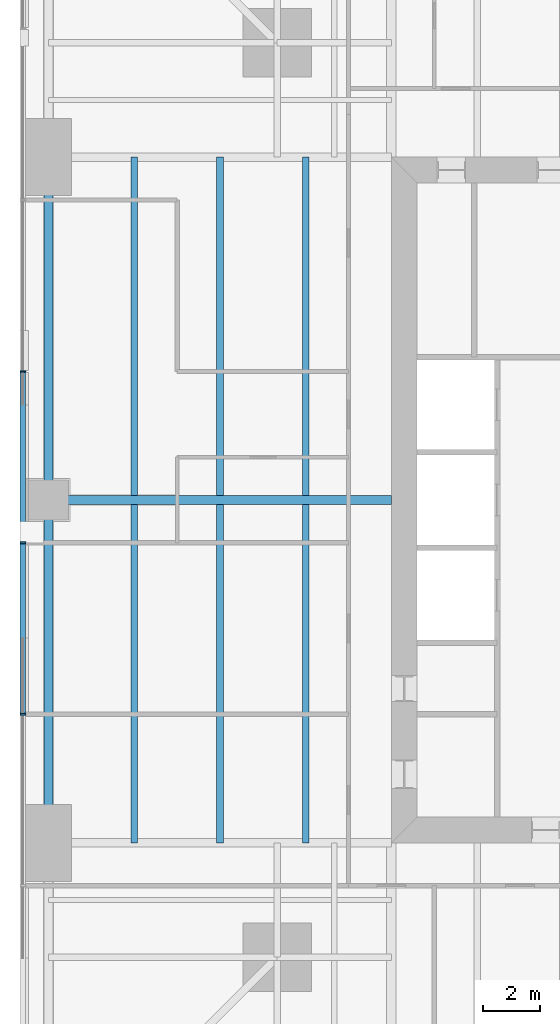
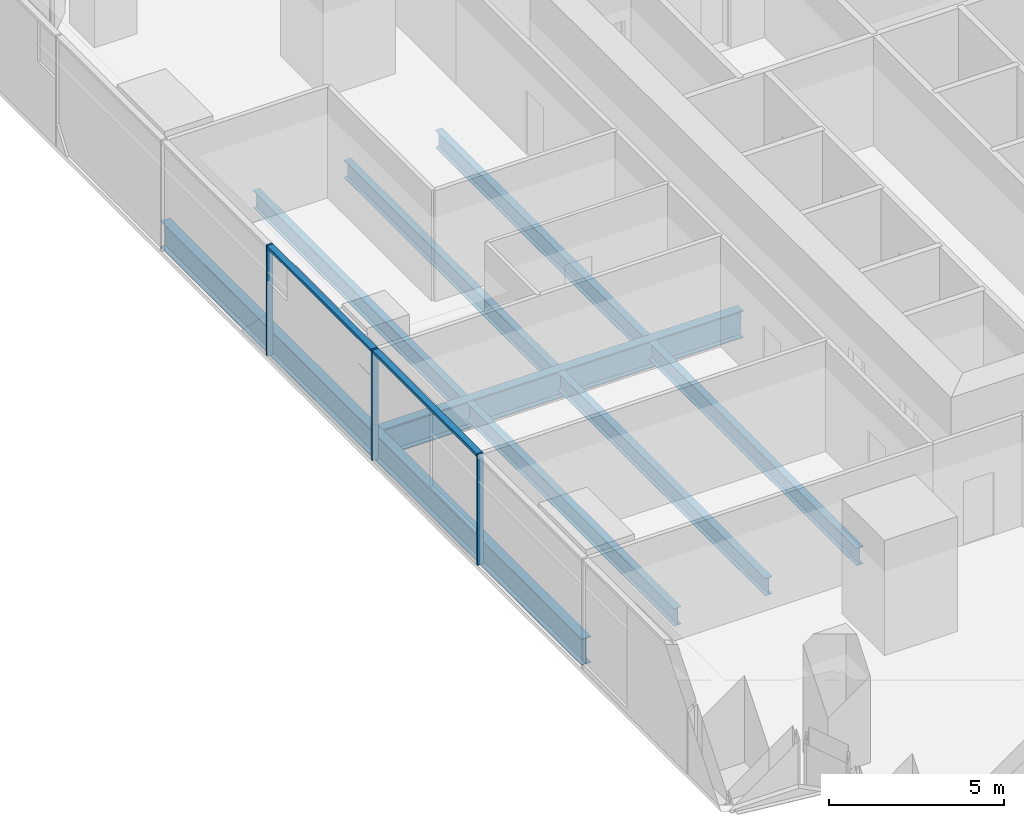
# One storey, part 4 of 13: 9 beams, 5 members, 1 element without a shape of its own.
"""IFC4 building model written with IfcOpenShell, lengths in metres."""

from ifc_helpers import new_model, si_unit, direction, frame, origin, origin_2d, place, context, subcontext, project, spatial, rectangle, i_section, extrude, material, material_profile, profile_set, type_object, element, aggregate, save


model = new_model("IFC4")

# Units and contexts
model_context = context("Model", 3, precision=1e-05, world=origin(), true_north=direction((0.0, 1.0)))
body_context = subcontext(model_context, "Body", "Model", "MODEL_VIEW")
ifc_project = project(units=[si_unit("LENGTHUNIT", "METRE"), si_unit("AREAUNIT", "SQUARE_METRE"), si_unit("VOLUMEUNIT", "CUBIC_METRE"), si_unit("PLANEANGLEUNIT", "RADIAN"), si_unit("MASSUNIT", "GRAM", prefix="KILO")], contexts=[model_context])

# Site, building, storey
site_placement = place(None, origin())
site = spatial("IfcSite", under=ifc_project, at=site_placement, CompositionType="ELEMENT")
building_placement = place(site_placement, origin())
building = spatial("IfcBuilding", under=site, at=building_placement, Name="Fenwick Lantern Interchange", CompositionType="ELEMENT")
storey_placement = place(building_placement, frame((0.0, 0.0, 63.0)))
storey = spatial("IfcBuildingStorey", under=building, at=storey_placement, Name="L14", CompositionType="ELEMENT", Elevation=63.0)

# Beams
ifc_material_1 = material(Name="Steel ASTM A992 Grade 50", Category="steel")
ifc_material_profile_1 = material_profile(ifc_material_1, i_section(OverallWidth=0.3046875, OverallDepth=0.911865234375, WebThickness=0.015869140625, FlangeThickness=0.02392578125, at=origin_2d()), Name="W36X150")
ifc_profile_set_1 = profile_set([ifc_material_profile_1], Name="Steel ASTM A992 Grade 50")
beam_type_1 = type_object("IfcBeamType", Name="EDGE BEAM W36X150", PredefinedType="SPANDREL", material=ifc_profile_set_1)
for number, where, z_axis, x_axis, name in (
    (1, (1.0, 37.0, -0.60595703125), (0.0, -1.0, 0.0), (1.0, 0.0, 0.0), "L14/FR/W/EB2"),
    (2, (1.0, 25.0, -0.60595703125), (0.0, -1.0, 0.0), (1.0, 0.0, 0.0), "L14/FR/W/EB3"),
):
    element("IfcBeam", number, at=place(storey_placement, frame(where, z_axis=z_axis, x_axis=x_axis)), inside=storey, type_object=beam_type_1, Name=name, PredefinedType="SPANDREL", context=body_context, shape_type="SweptSolid", body=[
        extrude(i_section(OverallWidth=0.3046875, OverallDepth=0.911865234375, WebThickness=0.015869140625, FlangeThickness=0.02392578125, at=origin_2d()), origin(), (0.0, 0.0, 1.0), 12.0),
    ])
ifc_material_profile_2 = material_profile(ifc_material_1, i_section(OverallWidth=0.22900390625, OverallDepth=0.612060546875, WebThickness=0.011962890625, FlangeThickness=0.01953125, at=origin_2d()), Name="W24X84")
ifc_profile_set_2 = profile_set([ifc_material_profile_2], Name="Steel ASTM A992 Grade 50")
beam_type_2 = type_object("IfcBeamType", Name="FLOOR BEAM W24X84", PredefinedType="BEAM", material=ifc_profile_set_2)
for number, where, z_axis, x_axis, name in (
    (3, (4.0, 37.0, -0.4560546875), (0.0, -1.0, 0.0), (1.0, 0.0, 0.0), "L14/FR/W/B01"),
    (4, (7.0, 37.0, -0.4560546875), (0.0, -1.0, 0.0), (1.0, 0.0, 0.0), "L14/FR/W/B02"),
    (5, (10.0, 37.0, -0.4560546875), (0.0, -1.0, 0.0), (1.0, 0.0, 0.0), "L14/FR/W/B03"),
    (6, (4.0, 24.844970703125, -0.4560546875), (0.0, -1.0, 0.0), (1.0, 0.0, 0.0), "L14/FR/W/B04"),
    (7, (7.0, 24.844970703125, -0.4560546875), (0.0, -1.0, 0.0), (1.0, 0.0, 0.0), "L14/FR/W/B05"),
    (8, (10.0, 24.844970703125, -0.4560546875), (0.0, -1.0, 0.0), (1.0, 0.0, 0.0), "L14/FR/W/B06"),
):
    element("IfcBeam", number, at=place(storey_placement, frame(where, z_axis=z_axis, x_axis=x_axis)), inside=storey, type_object=beam_type_2, Name=name, PredefinedType="BEAM", context=body_context, shape_type="SweptSolid", body=[
        extrude(i_section(OverallWidth=0.22900390625, OverallDepth=0.612060546875, WebThickness=0.011962890625, FlangeThickness=0.01953125, at=origin_2d()), origin(), (0.0, 0.0, 1.0), 11.844970703125),
    ])
ifc_material_profile_3 = material_profile(ifc_material_1, i_section(OverallWidth=0.309814453125, OverallDepth=0.949951171875, WebThickness=0.0244140625, FlangeThickness=0.0439453125, at=origin_2d()), Name="W36X256")
ifc_profile_set_3 = profile_set([ifc_material_profile_3], Name="Steel ASTM A992 Grade 50")
beam_type_3 = type_object("IfcBeamType", Name="MOMENT-CONNECTED GIRDER W36X256", PredefinedType="BEAM", material=ifc_profile_set_3)
beam_placement = place(storey_placement, frame((1.0, 25.0, -0.625), z_axis=(1.0, 0.0, 0.0), x_axis=(0.0, 1.0, 0.0)))
element("IfcBeam", 9, at=beam_placement, inside=storey, type_object=beam_type_3, Name="L14/FR/W/R02", PredefinedType="BEAM", context=body_context, shape_type="SweptSolid", body=[
    extrude(i_section(OverallWidth=0.309814453125, OverallDepth=0.949951171875, WebThickness=0.0244140625, FlangeThickness=0.0439453125, at=origin_2d()), origin(), (0.0, 0.0, 1.0), 12.0),
])

# Curtain wall, members
ifc_material_2 = material(Name="Aluminium curtain wall frame", Category="aluminium")
curtain_wall_type = type_object("IfcCurtainWallType", Name="OFFICE CURTAIN WALL", PredefinedType="USERDEFINED", material=ifc_material_2)
curtain_wall_placement = place(storey_placement, origin())
curtain_wall = element("IfcCurtainWall", 10, at=curtain_wall_placement, inside=storey, type_object=curtain_wall_type, Name="Office curtain wall 13", ObjectType="OFFICE CURTAIN WALL", PredefinedType="USERDEFINED")
ifc_material_3 = material(Name="Aluminium extrusion", Category="aluminium")
ifc_material_profile_4 = material_profile(ifc_material_3, rectangle(XDim=0.199951171875, YDim=0.06494140625, at=origin_2d()), Name="OFFICE CURTAIN WALL MULLION 65 X 200")
ifc_profile_set_4 = profile_set([ifc_material_profile_4], Name="Aluminium extrusion")
member_type_1 = type_object("IfcMemberType", Name="OFFICE CURTAIN WALL MULLION 65 X 200", PredefinedType="MULLION", material=ifc_profile_set_4)
member_1_placement = place(storey_placement, frame((0.10009765625, 29.5, 0.0), z_axis=(0.0, 0.0, 1.0), x_axis=(1.0, 0.0, 0.0)))
member_1 = element("IfcMember", 11, at=member_1_placement, type_object=member_type_1, Name="L14/CW/13/M03", PredefinedType="MULLION", context=body_context, shape_type="SweptSolid", body=[
    extrude(rectangle(XDim=0.199951171875, YDim=0.06494140625, at=origin_2d()), origin(), (0.0, 0.0, 1.0), 3.85009765625),
])
member_2_placement = place(storey_placement, frame((0.10009765625, 23.5, 0.0), z_axis=(0.0, 0.0, 1.0), x_axis=(1.0, 0.0, 0.0)))
member_2 = element("IfcMember", 12, at=member_2_placement, type_object=member_type_1, Name="L14/CW/13/M04", PredefinedType="MULLION", context=body_context, shape_type="SweptSolid", body=[
    extrude(rectangle(XDim=0.199951171875, YDim=0.06494140625, at=origin_2d()), origin(), (0.0, 0.0, 1.0), 3.85009765625),
])
member_3_placement = place(storey_placement, frame((0.10009765625, 17.5, 0.0), z_axis=(0.0, 0.0, 1.0), x_axis=(1.0, 0.0, 0.0)))
member_3 = element("IfcMember", 13, at=member_3_placement, type_object=member_type_1, Name="L14/CW/13/M05", PredefinedType="MULLION", context=body_context, shape_type="SweptSolid", body=[
    extrude(rectangle(XDim=0.199951171875, YDim=0.06494140625, at=origin_2d()), origin(), (0.0, 0.0, 1.0), 3.85009765625),
])
ifc_material_profile_5 = material_profile(ifc_material_3, rectangle(XDim=0.199951171875, YDim=0.10009765625, at=origin_2d()), Name="OFFICE CURTAIN WALL TRANSOM 100 X 200")
ifc_profile_set_5 = profile_set([ifc_material_profile_5], Name="Aluminium extrusion")
member_type_2 = type_object("IfcMemberType", Name="OFFICE CURTAIN WALL TRANSOM 100 X 200", PredefinedType="MULLION", material=ifc_profile_set_5)
member_4_placement = place(storey_placement, frame((0.10009765625, 29.467529296875, 3.800048828125), z_axis=(0.0, -1.0, 0.0), x_axis=(1.0, 0.0, 0.0)))
member_4 = element("IfcMember", 14, at=member_4_placement, type_object=member_type_2, Name="L14/CW/13/T03", PredefinedType="MULLION", context=body_context, shape_type="SweptSolid", body=[
    extrude(rectangle(XDim=0.199951171875, YDim=0.10009765625, at=origin_2d()), origin(), (0.0, 0.0, 1.0), 5.93505859375),
])
member_5_placement = place(storey_placement, frame((0.10009765625, 23.467529296875, 3.800048828125), z_axis=(0.0, -1.0, 0.0), x_axis=(1.0, 0.0, 0.0)))
member_5 = element("IfcMember", 15, at=member_5_placement, type_object=member_type_2, Name="L14/CW/13/T04", PredefinedType="MULLION", context=body_context, shape_type="SweptSolid", body=[
    extrude(rectangle(XDim=0.199951171875, YDim=0.10009765625, at=origin_2d()), origin(), (0.0, 0.0, 1.0), 5.93505859375),
])
aggregate(curtain_wall, [member_1, member_2, member_3, member_4, member_5])

save(model, "model.ifc")
